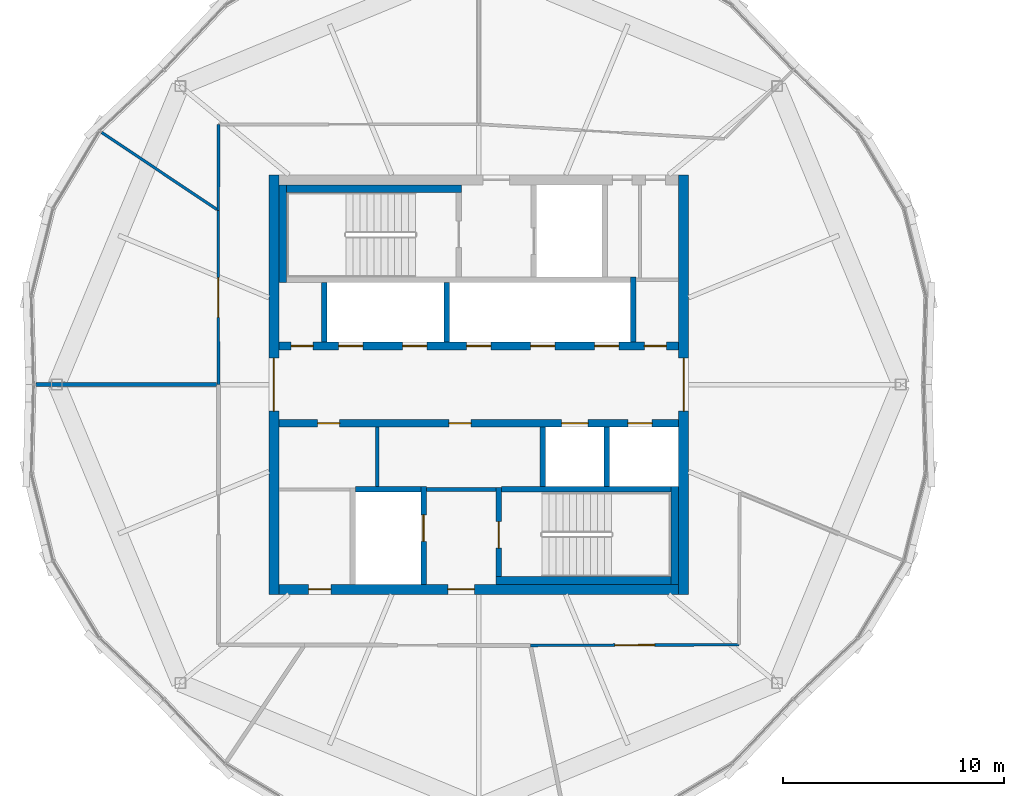
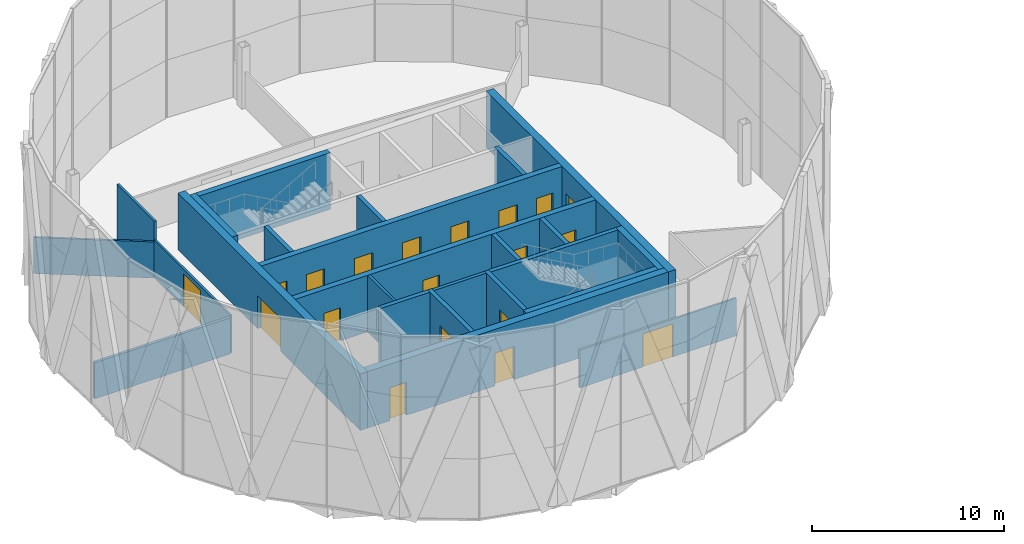
# One storey, part 16 of 22: 25 walls, 19 doors, 19 openings.
"""IFC4 building model written with IfcOpenShell, lengths in metres."""

from ifc_helpers import new_model, si_unit, direction, frame, frame_2d, origin, place, context, subcontext, project, spatial, rectangle, extrude, material, layer, layer_set, type_object, element, fill, save


model = new_model("IFC4")

# Units and contexts
model_context = context("Model", 3, precision=1e-05, world=origin(), true_north=direction((0.0, 1.0)))
body_context = subcontext(model_context, "Body", "Model", "MODEL_VIEW")
ifc_project = project(units=[si_unit("LENGTHUNIT", "METRE"), si_unit("AREAUNIT", "SQUARE_METRE"), si_unit("VOLUMEUNIT", "CUBIC_METRE"), si_unit("PLANEANGLEUNIT", "RADIAN"), si_unit("MASSUNIT", "GRAM", prefix="KILO")], contexts=[model_context])

# Site, building, storey
site_placement = place(None, origin())
site = spatial("IfcSite", under=ifc_project, at=site_placement, CompositionType="ELEMENT")
building_placement = place(site_placement, origin())
building = spatial("IfcBuilding", under=site, at=building_placement, Name="Ogive Gate Towers", CompositionType="ELEMENT")
storey_placement = place(building_placement, frame((0.0, 0.0, 228.89990234375)))
storey = spatial("IfcBuildingStorey", under=building, at=storey_placement, Name="L54", CompositionType="ELEMENT", Elevation=228.89990234375)

# Walls
ifc_material_1 = material(Name="Gypsum board acoustic partition")
ifc_layer_1 = layer(ifc_material_1, 0.175048828125)
ifc_layer_set_1 = layer_set([ifc_layer_1], Name="Acoustic partition 175")
wall_type_1 = type_object("IfcWallType", Name="Acoustic partition 175", PredefinedType="PARTITIONING", material=ifc_layer_set_1)
wall_1_placement = place(storey_placement, frame((-56.049072265625, 0.0, 0.0), z_axis=(0.0, 0.0, 1.0), x_axis=(1.0, 0.0, 0.0)))
element("IfcWall", 1, at=wall_1_placement, inside=storey, type_object=wall_type_1, Name="Partition T1-L54-004", PredefinedType="PARTITIONING", context=body_context, shape_type="SweptSolid", body=[
    extrude(rectangle(XDim=8.171630859375, YDim=0.175048828125, at=frame_2d((4.0859375, 0.0))), origin(), (0.0, 0.0, 1.0), 2.300048828125),
])
ifc_material_2 = material(Name="Masonry blockwork", Category="masonry")
ifc_layer_2 = layer(ifc_material_2, 0.199951171875)
ifc_layer_set_2 = layer_set([ifc_layer_2], Name="Blockwork wall 200 mm")
wall_type_2 = type_object("IfcWallType", Name="Blockwork wall 200 mm", PredefinedType="PARTITIONING", material=ifc_layer_set_2)
wall_2_placement = place(storey_placement, frame((-38.375, -4.75, 0.0), z_axis=(0.0, 0.0, 1.0), x_axis=(1.0, 0.0, 0.0)))
element("IfcWall", 2, at=wall_2_placement, inside=storey, type_object=wall_type_2, Name="T1 L54 Blockwork wall 200 mm", PredefinedType="PARTITIONING", context=body_context, shape_type="SweptSolid", body=[
    extrude(rectangle(XDim=3.14990234375, YDim=0.199951171875, at=frame_2d((1.574951171875, 0.0))), origin(), (0.0, 0.0, 1.0), 3.60009765625),
])

# Wall, openings, doors
ifc_material_3 = material(Name="Concrete C60/75", Category="concrete")
ifc_layer_3 = layer(ifc_material_3, 0.449951171875)
ifc_layer_set_3 = layer_set([ifc_layer_3], Name="Core wall 450 mm")
wall_type_3 = type_object("IfcWallType", Name="Core wall 450 mm", PredefinedType="SHEAR", material=ifc_layer_set_3)
wall_3_placement = place(storey_placement, frame((-45.050048828125, -9.27490234375, 0.0), z_axis=(0.0, 0.0, 1.0), x_axis=(1.0, 0.0, 0.0)))
wall_3 = element("IfcWall", 3, at=wall_3_placement, inside=storey, type_object=wall_type_3, Name="T1 L54 Core wall 450 mm", PredefinedType="SHEAR", context=body_context, shape_type="SweptSolid", body=[
    extrude(rectangle(XDim=18.10009765625, YDim=0.449951171875, at=frame_2d((9.050048828125, 0.0))), origin(), (0.0, 0.0, 1.0), 3.60009765625),
])
opening_1_placement = place(wall_3_placement, frame((7.64990234375, 0.0, 0.0)))
opening_1 = element("IfcOpeningElement", 4, at=opening_1_placement, cuts=wall_3, Name="Opening KD-T1-L54-19", PredefinedType="OPENING", context=body_context, shape_type="SweptSolid", body=[
    extrude(rectangle(XDim=1.199951171875, YDim=2.10009765625, at=frame_2d((0.60009765625, 1.050048828125))), frame((0.0, 0.23486328125, 0.0), z_axis=(0.0, -1.0, 0.0), x_axis=(1.0, 0.0, 0.0)), (0.0, 0.0, 1.0), 0.469970703125),
])
opening_2_placement = place(wall_3_placement, frame((1.35009765625, 0.0, 0.0)))
opening_2 = element("IfcOpeningElement", 5, at=opening_2_placement, cuts=wall_3, Name="Opening KD-T1-L54-22", PredefinedType="OPENING", context=body_context, shape_type="SweptSolid", body=[
    extrude(rectangle(XDim=1.0, YDim=2.10009765625, at=frame_2d((0.5, 1.050048828125))), frame((0.0, 0.23486328125, 0.0), z_axis=(0.0, -1.0, 0.0), x_axis=(1.0, 0.0, 0.0)), (0.0, 0.0, 1.0), 0.469970703125),
])
ifc_material_4 = material(Name="Timber door", Category="wood")
door_type_1 = type_object("IfcDoorType", Name="Accessible WC door 1000 x 2100", OperationType="NOTDEFINED", PredefinedType="DOOR", material=ifc_material_4)
door_1_placement = place(opening_2_placement, origin())
door_1 = element("IfcDoor", 6, at=door_1_placement, inside=storey, type_object=door_type_1, Name="T1 L54 Core door", OperationType="SINGLE_SWING_LEFT", OverallHeight=2.10009765625, OverallWidth=1.0, PredefinedType="DOOR", context=body_context, shape_type="SweptSolid", body=[
    extrude(rectangle(XDim=1.0, YDim=2.10009765625, at=frame_2d((0.5, 1.050048828125))), frame((0.0, 0.02490234375, 0.0), z_axis=(0.0, -1.0, 0.0), x_axis=(1.0, 0.0, 0.0)), (0.0, 0.0, 1.0), 0.050048828125),
])
fill(opening_2, door_1)
ifc_material_5 = material(Name="Steel fire door", Category="steel")
door_type_2 = type_object("IfcDoorType", Name="Core door FD60S 1200 x 2100", OperationType="NOTDEFINED", PredefinedType="DOOR", material=ifc_material_5)
door_2_placement = place(opening_1_placement, origin())
door_2 = element("IfcDoor", 7, at=door_2_placement, inside=storey, type_object=door_type_2, Name="T1 L54 Fire-fighting lobby door", OperationType="SINGLE_SWING_RIGHT", OverallHeight=2.10009765625, OverallWidth=1.199951171875, PredefinedType="DOOR", context=body_context, shape_type="SweptSolid", body=[
    extrude(rectangle(XDim=1.199951171875, YDim=2.10009765625, at=frame_2d((0.60009765625, 1.050048828125))), frame((0.0, 0.02490234375, 0.0), z_axis=(0.0, -1.0, 0.0), x_axis=(1.0, 0.0, 0.0)), (0.0, 0.0, 1.0), 0.050048828125),
])
fill(opening_1, door_2)

# Wall, opening, door
wall_4_placement = place(storey_placement, frame((-45.27490234375, -9.5, 0.0), z_axis=(0.0, 0.0, 1.0), x_axis=(0.0, 1.0, 0.0)))
wall_4 = element("IfcWall", 8, at=wall_4_placement, inside=storey, type_object=wall_type_3, Name="T1 L54 Core wall 450 mm", PredefinedType="SHEAR", context=body_context, shape_type="SweptSolid", body=[
    extrude(rectangle(XDim=19.0, YDim=0.449951171875, at=frame_2d((9.5, 0.0))), origin(), (0.0, 0.0, 1.0), 3.60009765625),
])
opening_3_placement = place(wall_4_placement, frame((8.300048828125, 0.0, 0.0)))
opening_3 = element("IfcOpeningElement", 9, at=opening_3_placement, cuts=wall_4, Name="Opening KD-T1-L54-01", PredefinedType="OPENING", context=body_context, shape_type="SweptSolid", body=[
    extrude(rectangle(XDim=2.39990234375, YDim=2.10009765625, at=frame_2d((1.199951171875, 1.050048828125))), frame((0.0, 0.23486328125, 0.0), z_axis=(0.0, -1.0, 0.0), x_axis=(1.0, 0.0, 0.0)), (0.0, 0.0, 1.0), 0.469970703125),
])
door_type_3 = type_object("IfcDoorType", Name="Core double door FD60S 2400 x 2100", OperationType="DOUBLE_DOOR_SINGLE_SWING", PredefinedType="DOOR", material=ifc_material_5)
door_3_placement = place(opening_3_placement, origin())
door_3 = element("IfcDoor", 10, at=door_3_placement, inside=storey, type_object=door_type_3, Name="T1 L54 Core door double", OperationType="DOUBLE_DOOR_SINGLE_SWING", OverallHeight=2.10009765625, OverallWidth=2.39990234375, PredefinedType="DOOR", context=body_context, shape_type="SweptSolid", body=[
    extrude(rectangle(XDim=2.39990234375, YDim=2.10009765625, at=frame_2d((1.199951171875, 1.050048828125))), frame((0.0, 0.02490234375, 0.0), z_axis=(0.0, -1.0, 0.0), x_axis=(1.0, 0.0, 0.0)), (0.0, 0.0, 1.0), 0.050048828125),
])
fill(opening_3, door_3)

wall_5_placement = place(storey_placement, frame((-26.72509765625, -9.5, 0.0), z_axis=(0.0, 0.0, 1.0), x_axis=(0.0, 1.0, 0.0)))
wall_5 = element("IfcWall", 11, at=wall_5_placement, inside=storey, type_object=wall_type_3, Name="T1 L54 Core wall 450 mm", PredefinedType="SHEAR", context=body_context, shape_type="SweptSolid", body=[
    extrude(rectangle(XDim=19.0, YDim=0.449951171875, at=frame_2d((9.5, 0.0))), origin(), (0.0, 0.0, 1.0), 3.60009765625),
])
opening_4_placement = place(wall_5_placement, frame((8.300048828125, 0.0, 0.0)))
opening_4 = element("IfcOpeningElement", 12, at=opening_4_placement, cuts=wall_5, Name="Opening KD-T1-L54-02", PredefinedType="OPENING", context=body_context, shape_type="SweptSolid", body=[
    extrude(rectangle(XDim=2.39990234375, YDim=2.10009765625, at=frame_2d((1.199951171875, 1.050048828125))), frame((0.0, 0.23486328125, 0.0), z_axis=(0.0, -1.0, 0.0), x_axis=(1.0, 0.0, 0.0)), (0.0, 0.0, 1.0), 0.469970703125),
])
door_4_placement = place(opening_4_placement, origin())
door_4 = element("IfcDoor", 13, at=door_4_placement, inside=storey, type_object=door_type_3, Name="T1 L54 Core door double", OperationType="DOUBLE_DOOR_SINGLE_SWING", OverallHeight=2.10009765625, OverallWidth=2.39990234375, PredefinedType="DOOR", context=body_context, shape_type="SweptSolid", body=[
    extrude(rectangle(XDim=2.39990234375, YDim=2.10009765625, at=frame_2d((1.199951171875, 1.050048828125))), frame((0.0, 0.02490234375, 0.0), z_axis=(0.0, -1.0, 0.0), x_axis=(1.0, 0.0, 0.0)), (0.0, 0.0, 1.0), 0.050048828125),
])
fill(opening_4, door_4)

# Wall
ifc_material_6 = material(Name="Gypsum board partition")
ifc_layer_4 = layer(ifc_material_6, 0.125)
ifc_layer_set_4 = layer_set([ifc_layer_4], Name="Partition 125")
wall_type_4 = type_object("IfcWallType", Name="Partition 125", PredefinedType="PARTITIONING", material=ifc_layer_set_4)
wall_6_placement = place(storey_placement, frame((-53.081298828125, 11.424072265625, 0.0), z_axis=(0.0, 0.0, 1.0), x_axis=(0.831214202949, -0.555952290054, 0.0)))
element("IfcWall", 14, at=wall_6_placement, inside=storey, type_object=wall_type_4, Name="Partition T1-L54-003", PredefinedType="PARTITIONING", context=body_context, shape_type="SweptSolid", body=[
    extrude(rectangle(XDim=6.29638671875, YDim=0.125, at=frame_2d((3.148193359375, 0.0))), origin(), (0.0, 0.0, 1.0), 2.300048828125),
])

# Wall, opening, door
wall_7_placement = place(storey_placement, frame((-33.656005859375, -11.810302734375, 0.0), z_axis=(0.0, 0.0, 1.0), x_axis=(0.999994853511, 0.003208262919, 0.0)))
wall_7 = element("IfcWall", 15, at=wall_7_placement, inside=storey, type_object=wall_type_4, Name="Partition T1-L54-009", PredefinedType="PARTITIONING", context=body_context, shape_type="SweptSolid", body=[
    extrude(rectangle(XDim=9.43603515625, YDim=0.125, at=frame_2d((4.718017578125, 0.0))), origin(), (0.0, 0.0, 1.0), 2.400146484375),
])
opening_5_placement = place(wall_7_placement, frame((3.818115234375, 0.0, 0.0)))
opening_5 = element("IfcOpeningElement", 16, at=opening_5_placement, cuts=wall_7, Name="Opening T1-L54-D02", PredefinedType="OPENING", context=body_context, shape_type="SweptSolid", body=[
    extrude(rectangle(XDim=1.800048828125, YDim=2.10009765625, at=frame_2d((0.89990234375, 1.050048828125))), frame((0.0, 0.072509765625, 0.0), z_axis=(0.0, -1.0, 0.0), x_axis=(1.0, 0.0, 0.0)), (0.0, 0.0, 1.0), 0.14501953125),
])
door_type_4 = type_object("IfcDoorType", Name="Door pair 1800", OperationType="NOTDEFINED", PredefinedType="DOOR", material=ifc_material_4)
door_5_placement = place(opening_5_placement, origin())
door_5 = element("IfcDoor", 17, at=door_5_placement, inside=storey, type_object=door_type_4, Name="Door T1-L54-D02", OperationType="DOUBLE_DOOR_DOUBLE_SWING", OverallHeight=2.10009765625, OverallWidth=1.800048828125, PredefinedType="DOOR", context=body_context, shape_type="SweptSolid", body=[
    extrude(rectangle(XDim=1.800048828125, YDim=2.10009765625, at=frame_2d((0.89990234375, 1.050048828125))), frame((0.0, 0.02490234375, 0.0), z_axis=(0.0, -1.0, 0.0), x_axis=(1.0, 0.0, 0.0)), (0.0, 0.0, 1.0), 0.050048828125),
])
fill(opening_5, door_5)

# Wall
wall_8_placement = place(storey_placement, frame((-47.780029296875, 11.780029296875, 0.0), z_axis=(0.0, 0.0, 1.0), x_axis=(-0.004015527922, -0.999991937735, 0.0)))
element("IfcWall", 18, at=wall_8_placement, inside=storey, type_object=wall_type_4, Name="Partition T1-L54-013", PredefinedType="PARTITIONING", context=body_context, shape_type="SweptSolid", body=[
    extrude(rectangle(XDim=3.89111328125, YDim=0.125, at=frame_2d((1.945556640625, 0.0))), origin(), (0.0, 0.0, 1.0), 3.60009765625),
])

# Wall, opening, door
wall_9_placement = place(storey_placement, frame((-47.795654296875, 7.888916015625, 0.0), z_axis=(0.0, 0.0, 1.0), x_axis=(0.000711787645, -0.999999746679, 0.0)))
wall_9 = element("IfcWall", 19, at=wall_9_placement, inside=storey, type_object=wall_type_4, Name="Partition T1-L54-014", PredefinedType="PARTITIONING", context=body_context, shape_type="SweptSolid", body=[
    extrude(rectangle(XDim=7.888916015625, YDim=0.125, at=frame_2d((3.9443359375, 0.0))), origin(), (0.0, 0.0, 1.0), 2.400146484375),
])
opening_6_placement = place(wall_9_placement, frame((3.0439453125, 0.0, 0.0)))
opening_6 = element("IfcOpeningElement", 20, at=opening_6_placement, cuts=wall_9, Name="Opening T1-L54-D05", PredefinedType="OPENING", context=body_context, shape_type="SweptSolid", body=[
    extrude(rectangle(XDim=1.800048828125, YDim=2.10009765625, at=frame_2d((0.89990234375, 1.050048828125))), frame((0.0, 0.072509765625, 0.0), z_axis=(0.0, -1.0, 0.0), x_axis=(1.0, 0.0, 0.0)), (0.0, 0.0, 1.0), 0.14501953125),
])
door_6_placement = place(opening_6_placement, origin())
door_6 = element("IfcDoor", 21, at=door_6_placement, inside=storey, type_object=door_type_4, Name="Door T1-L54-D05", OperationType="DOUBLE_DOOR_DOUBLE_SWING", OverallHeight=2.10009765625, OverallWidth=1.800048828125, PredefinedType="DOOR", context=body_context, shape_type="SweptSolid", body=[
    extrude(rectangle(XDim=1.800048828125, YDim=2.10009765625, at=frame_2d((0.89990234375, 1.050048828125))), frame((0.0, 0.02490234375, 0.0), z_axis=(0.0, -1.0, 0.0), x_axis=(1.0, 0.0, 0.0)), (0.0, 0.0, 1.0), 0.050048828125),
])
fill(opening_6, door_6)

# Walls
ifc_layer_5 = layer(ifc_material_6, 0.14990234375)
ifc_layer_set_5 = layer_set([ifc_layer_5], Name="Room partition 150 mm")
wall_type_5 = type_object("IfcWallType", Name="Room partition 150 mm", PredefinedType="PARTITIONING", material=ifc_layer_set_5)
wall_10_placement = place(storey_placement, frame((-40.60009765625, -4.625, 0.0), z_axis=(0.0, 0.0, 1.0), x_axis=(0.0, 1.0, 0.0)))
element("IfcWall", 22, at=wall_10_placement, inside=storey, type_object=wall_type_5, Name="T1 L54 Room partition 150 mm", PredefinedType="PARTITIONING", context=body_context, shape_type="SweptSolid", body=[
    extrude(rectangle(XDim=2.699951171875, YDim=0.14990234375, at=frame_2d((1.35009765625, 0.0))), origin(), (0.0, 0.0, 1.0), 3.60009765625),
])
ifc_layer_6 = layer(ifc_material_3, 0.25)
ifc_layer_set_6 = layer_set([ifc_layer_6], Name="Shaft wall 250 mm")
wall_type_6 = type_object("IfcWallType", Name="Shaft wall 250 mm", PredefinedType="SHEAR", material=ifc_layer_set_6)
wall_11_placement = place(storey_placement, frame((-41.574951171875, -4.75, 0.0), z_axis=(0.0, 0.0, 1.0), x_axis=(1.0, 0.0, 0.0)))
element("IfcWall", 23, at=wall_11_placement, inside=storey, type_object=wall_type_6, Name="T1 L54 Shaft wall 250 mm", PredefinedType="SHEAR", context=body_context, shape_type="SweptSolid", body=[
    extrude(rectangle(XDim=2.949951171875, YDim=0.25, at=frame_2d((1.47509765625, 0.0))), origin(), (0.0, 0.0, 1.0), 3.60009765625),
])
wall_12_placement = place(storey_placement, frame((-34.97509765625, -4.75, 0.0), z_axis=(0.0, 0.0, 1.0), x_axis=(1.0, 0.0, 0.0)))
element("IfcWall", 24, at=wall_12_placement, inside=storey, type_object=wall_type_6, Name="T1 L54 Shaft wall 250 mm", PredefinedType="SHEAR", context=body_context, shape_type="SweptSolid", body=[
    extrude(rectangle(XDim=7.675048828125, YDim=0.25, at=frame_2d((3.83740234375, 0.0))), origin(), (0.0, 0.0, 1.0), 3.60009765625),
])
wall_13_placement = place(storey_placement, frame((-43.0, 1.925048828125, 0.0), z_axis=(0.0, 0.0, 1.0), x_axis=(0.0, 1.0, 0.0)))
element("IfcWall", 25, at=wall_13_placement, inside=storey, type_object=wall_type_6, Name="T1 L54 Shaft wall 250 mm", PredefinedType="SHEAR", context=body_context, shape_type="SweptSolid", body=[
    extrude(rectangle(XDim=2.699951171875, YDim=0.25, at=frame_2d((1.35009765625, 0.0))), origin(), (0.0, 0.0, 1.0), 3.60009765625),
])

# Wall, opening, door
wall_14_placement = place(storey_placement, frame((-38.5, -9.050048828125, 0.0), z_axis=(0.0, 0.0, 1.0), x_axis=(0.0, 1.0, 0.0)))
wall_14 = element("IfcWall", 26, at=wall_14_placement, inside=storey, type_object=wall_type_6, Name="T1 L54 Shaft wall 250 mm", PredefinedType="SHEAR", context=body_context, shape_type="SweptSolid", body=[
    extrude(rectangle(XDim=4.425048828125, YDim=0.25, at=frame_2d((2.21240234375, 0.0))), origin(), (0.0, 0.0, 1.0), 3.60009765625),
])
opening_7_placement = place(wall_14_placement, frame((1.949951171875, 0.0, 0.0)))
opening_7 = element("IfcOpeningElement", 27, at=opening_7_placement, cuts=wall_14, Name="Opening LD-T1-L54-13", PredefinedType="OPENING", context=body_context, shape_type="SweptSolid", body=[
    extrude(rectangle(XDim=1.199951171875, YDim=2.10009765625, at=frame_2d((0.60009765625, 1.050048828125))), frame((0.0, 0.135009765625, 0.0), z_axis=(0.0, -1.0, 0.0), x_axis=(1.0, 0.0, 0.0)), (0.0, 0.0, 1.0), 0.27001953125),
])
ifc_material_7 = material(Name="Stainless steel landing door", Category="steel")
door_type_5 = type_object("IfcDoorType", Name="Landing door 1200 x 2100", OperationType="SLIDING_TO_LEFT", PredefinedType="DOOR", material=ifc_material_7)
door_7_placement = place(opening_7_placement, origin())
door_7 = element("IfcDoor", 28, at=door_7_placement, inside=storey, type_object=door_type_5, Name="T1 L54 Lift landing door FF2", OperationType="SLIDING_TO_LEFT", OverallHeight=2.10009765625, OverallWidth=1.199951171875, PredefinedType="DOOR", context=body_context, shape_type="SweptSolid", body=[
    extrude(rectangle(XDim=1.199951171875, YDim=2.10009765625, at=frame_2d((0.60009765625, 1.050048828125))), frame((0.0, 0.02490234375, 0.0), z_axis=(0.0, -1.0, 0.0), x_axis=(1.0, 0.0, 0.0)), (0.0, 0.0, 1.0), 0.050048828125),
])
fill(opening_7, door_7)

# Wall
wall_15_placement = place(storey_placement, frame((-37.449951171875, 1.925048828125, 0.0), z_axis=(0.0, 0.0, 1.0), x_axis=(0.0, 1.0, 0.0)))
element("IfcWall", 29, at=wall_15_placement, inside=storey, type_object=wall_type_6, Name="T1 L54 Shaft wall 250 mm", PredefinedType="SHEAR", context=body_context, shape_type="SweptSolid", body=[
    extrude(rectangle(XDim=2.699951171875, YDim=0.25, at=frame_2d((1.35009765625, 0.0))), origin(), (0.0, 0.0, 1.0), 3.60009765625),
])

# Wall, opening, door
wall_16_placement = place(storey_placement, frame((-35.10009765625, -8.699951171875, 0.0), z_axis=(0.0, 0.0, 1.0), x_axis=(0.0, 1.0, 0.0)))
wall_16 = element("IfcWall", 30, at=wall_16_placement, inside=storey, type_object=wall_type_6, Name="T1 L54 Shaft wall 250 mm", PredefinedType="SHEAR", context=body_context, shape_type="SweptSolid", body=[
    extrude(rectangle(XDim=4.050048828125, YDim=0.25, at=frame_2d((2.02490234375, 0.0))), origin(), (0.0, 0.0, 1.0), 3.60009765625),
])
opening_8_placement = place(wall_16_placement, frame((1.300048828125, 0.0, 0.0)))
opening_8 = element("IfcOpeningElement", 31, at=opening_8_placement, cuts=wall_16, Name="Opening KD-T1-L54-17", PredefinedType="OPENING", context=body_context, shape_type="SweptSolid", body=[
    extrude(rectangle(XDim=1.199951171875, YDim=2.10009765625, at=frame_2d((0.60009765625, 1.050048828125))), frame((0.0, 0.135009765625, 0.0), z_axis=(0.0, -1.0, 0.0), x_axis=(1.0, 0.0, 0.0)), (0.0, 0.0, 1.0), 0.27001953125),
])
door_8_placement = place(opening_8_placement, origin())
door_8 = element("IfcDoor", 32, at=door_8_placement, inside=storey, type_object=door_type_2, Name="T1 L54 Stair door", OperationType="SINGLE_SWING_RIGHT", OverallHeight=2.10009765625, OverallWidth=1.199951171875, PredefinedType="DOOR", context=body_context, shape_type="SweptSolid", body=[
    extrude(rectangle(XDim=1.199951171875, YDim=2.10009765625, at=frame_2d((0.60009765625, 1.050048828125))), frame((0.0, 0.02490234375, 0.0), z_axis=(0.0, -1.0, 0.0), x_axis=(1.0, 0.0, 0.0)), (0.0, 0.0, 1.0), 0.050048828125),
])
fill(opening_8, door_8)

# Walls
for number, where, z_axis, x_axis, name in (
    (33, (-33.10009765625, -4.625, 0.0), (0.0, 0.0, 1.0), (0.0, 1.0, 0.0), "T1 L54 Shaft wall 250 mm"),
    (34, (-30.199951171875, -4.625, 0.0), (0.0, 0.0, 1.0), (0.0, 1.0, 0.0), "T1 L54 Shaft wall 250 mm"),
):
    element("IfcWall", number, at=place(storey_placement, frame(where, z_axis=z_axis, x_axis=x_axis)), inside=storey, type_object=wall_type_6, Name=name, PredefinedType="SHEAR", context=body_context, shape_type="SweptSolid", body=[
        extrude(rectangle(XDim=2.699951171875, YDim=0.25, at=frame_2d((1.35009765625, 0.0))), origin(), (0.0, 0.0, 1.0), 3.60009765625),
    ])
wall_17_placement = place(storey_placement, frame((-29.0, 1.925048828125, 0.0), z_axis=(0.0, 0.0, 1.0), x_axis=(0.0, 1.0, 0.0)))
element("IfcWall", 35, at=wall_17_placement, inside=storey, type_object=wall_type_6, Name="T1 L54 Shaft wall 250 mm", PredefinedType="SHEAR", context=body_context, shape_type="SweptSolid", body=[
    extrude(rectangle(XDim=2.949951171875, YDim=0.25, at=frame_2d((1.47509765625, 0.0))), origin(), (0.0, 0.0, 1.0), 3.60009765625),
])

# Wall, openings, doors
ifc_layer_7 = layer(ifc_material_3, 0.35009765625)
ifc_layer_set_7 = layer_set([ifc_layer_7], Name="Spine wall 350 mm")
wall_type_7 = type_object("IfcWallType", Name="Spine wall 350 mm", PredefinedType="SHEAR", material=ifc_layer_set_7)
wall_18_placement = place(storey_placement, frame((-45.050048828125, -1.75, 0.0), z_axis=(0.0, 0.0, 1.0), x_axis=(1.0, 0.0, 0.0)))
wall_18 = element("IfcWall", 36, at=wall_18_placement, inside=storey, type_object=wall_type_7, Name="T1 L54 Spine wall 350 mm", PredefinedType="SHEAR", context=body_context, shape_type="SweptSolid", body=[
    extrude(rectangle(XDim=18.10009765625, YDim=0.35009765625, at=frame_2d((9.050048828125, 0.0))), origin(), (0.0, 0.0, 1.0), 3.60009765625),
])
opening_9_placement = place(wall_18_placement, frame((12.800048828125, 0.0, 0.0)))
opening_9 = element("IfcOpeningElement", 37, at=opening_9_placement, cuts=wall_18, Name="Opening LD-T1-L54-10", PredefinedType="OPENING", context=body_context, shape_type="SweptSolid", body=[
    extrude(rectangle(XDim=1.199951171875, YDim=2.10009765625, at=frame_2d((0.60009765625, 1.050048828125))), frame((0.0, 0.18505859375, 0.0), z_axis=(0.0, -1.0, 0.0), x_axis=(1.0, 0.0, 0.0)), (0.0, 0.0, 1.0), 0.3701171875),
])
opening_10_placement = place(wall_18_placement, frame((15.800048828125, 0.0, 0.0)))
opening_10 = element("IfcOpeningElement", 38, at=opening_10_placement, cuts=wall_18, Name="Opening LD-T1-L54-11", PredefinedType="OPENING", context=body_context, shape_type="SweptSolid", body=[
    extrude(rectangle(XDim=1.10009765625, YDim=2.10009765625, at=frame_2d((0.550048828125, 1.050048828125))), frame((0.0, 0.18505859375, 0.0), z_axis=(0.0, -1.0, 0.0), x_axis=(1.0, 0.0, 0.0)), (0.0, 0.0, 1.0), 0.3701171875),
])
opening_11_placement = place(wall_18_placement, frame((1.75, 0.0, 0.0)))
opening_11 = element("IfcOpeningElement", 39, at=opening_11_placement, cuts=wall_18, Name="Opening KD-T1-L54-14", PredefinedType="OPENING", context=body_context, shape_type="SweptSolid", body=[
    extrude(rectangle(XDim=1.0, YDim=2.10009765625, at=frame_2d((0.5, 1.050048828125))), frame((0.0, 0.18505859375, 0.0), z_axis=(0.0, -1.0, 0.0), x_axis=(1.0, 0.0, 0.0)), (0.0, 0.0, 1.0), 0.3701171875),
])
opening_12_placement = place(wall_18_placement, frame((7.699951171875, 0.0, 0.0)))
opening_12 = element("IfcOpeningElement", 40, at=opening_12_placement, cuts=wall_18, Name="Opening KD-T1-L54-15", PredefinedType="OPENING", context=body_context, shape_type="SweptSolid", body=[
    extrude(rectangle(XDim=1.0, YDim=2.10009765625, at=frame_2d((0.5, 1.050048828125))), frame((0.0, 0.18505859375, 0.0), z_axis=(0.0, -1.0, 0.0), x_axis=(1.0, 0.0, 0.0)), (0.0, 0.0, 1.0), 0.3701171875),
])
door_type_6 = type_object("IfcDoorType", Name="Core door FD60S 1000 x 2100", OperationType="NOTDEFINED", PredefinedType="DOOR", material=ifc_material_5)
door_9_placement = place(opening_11_placement, origin())
door_9 = element("IfcDoor", 41, at=door_9_placement, inside=storey, type_object=door_type_6, Name="T1 L54 Core door", OperationType="SINGLE_SWING_LEFT", OverallHeight=2.10009765625, OverallWidth=1.0, PredefinedType="DOOR", context=body_context, shape_type="SweptSolid", body=[
    extrude(rectangle(XDim=1.0, YDim=2.10009765625, at=frame_2d((0.5, 1.050048828125))), frame((0.0, 0.02490234375, 0.0), z_axis=(0.0, -1.0, 0.0), x_axis=(1.0, 0.0, 0.0)), (0.0, 0.0, 1.0), 0.050048828125),
])
fill(opening_11, door_9)
door_10_placement = place(opening_12_placement, origin())
door_10 = element("IfcDoor", 42, at=door_10_placement, inside=storey, type_object=door_type_6, Name="T1 L54 Core door", OperationType="SINGLE_SWING_RIGHT", OverallHeight=2.10009765625, OverallWidth=1.0, PredefinedType="DOOR", context=body_context, shape_type="SweptSolid", body=[
    extrude(rectangle(XDim=1.0, YDim=2.10009765625, at=frame_2d((0.5, 1.050048828125))), frame((0.0, 0.02490234375, 0.0), z_axis=(0.0, -1.0, 0.0), x_axis=(1.0, 0.0, 0.0)), (0.0, 0.0, 1.0), 0.050048828125),
])
fill(opening_12, door_10)
door_type_7 = type_object("IfcDoorType", Name="Landing door 1100 x 2100", OperationType="SLIDING_TO_LEFT", PredefinedType="DOOR", material=ifc_material_7)
door_11_placement = place(opening_10_placement, origin())
door_11 = element("IfcDoor", 43, at=door_11_placement, inside=storey, type_object=door_type_7, Name="T1 L54 Lift landing door B6", OperationType="SLIDING_TO_LEFT", OverallHeight=2.10009765625, OverallWidth=1.10009765625, PredefinedType="DOOR", context=body_context, shape_type="SweptSolid", body=[
    extrude(rectangle(XDim=1.10009765625, YDim=2.10009765625, at=frame_2d((0.550048828125, 1.050048828125))), frame((0.0, 0.02490234375, 0.0), z_axis=(0.0, -1.0, 0.0), x_axis=(1.0, 0.0, 0.0)), (0.0, 0.0, 1.0), 0.050048828125),
])
fill(opening_10, door_11)
door_12_placement = place(opening_9_placement, origin())
door_12 = element("IfcDoor", 44, at=door_12_placement, inside=storey, type_object=door_type_5, Name="T1 L54 Lift landing door SVC", OperationType="SLIDING_TO_LEFT", OverallHeight=2.10009765625, OverallWidth=1.199951171875, PredefinedType="DOOR", context=body_context, shape_type="SweptSolid", body=[
    extrude(rectangle(XDim=1.199951171875, YDim=2.10009765625, at=frame_2d((0.60009765625, 1.050048828125))), frame((0.0, 0.02490234375, 0.0), z_axis=(0.0, -1.0, 0.0), x_axis=(1.0, 0.0, 0.0)), (0.0, 0.0, 1.0), 0.050048828125),
])
fill(opening_9, door_12)

wall_19_placement = place(storey_placement, frame((-45.050048828125, 1.75, 0.0), z_axis=(0.0, 0.0, 1.0), x_axis=(1.0, 0.0, 0.0)))
wall_19 = element("IfcWall", 45, at=wall_19_placement, inside=storey, type_object=wall_type_7, Name="T1 L54 Spine wall 350 mm", PredefinedType="SHEAR", context=body_context, shape_type="SweptSolid", body=[
    extrude(rectangle(XDim=18.10009765625, YDim=0.35009765625, at=frame_2d((9.050048828125, 0.0))), origin(), (0.0, 0.0, 1.0), 3.60009765625),
])
opening_13_placement = place(wall_19_placement, frame((0.550048828125, 0.0, 0.0)))
opening_13 = element("IfcOpeningElement", 46, at=opening_13_placement, cuts=wall_19, Name="Opening KD-T1-L54-03", PredefinedType="OPENING", context=body_context, shape_type="SweptSolid", body=[
    extrude(rectangle(XDim=1.0, YDim=2.10009765625, at=frame_2d((0.5, 1.050048828125))), frame((0.0, 0.18505859375, 0.0), z_axis=(0.0, -1.0, 0.0), x_axis=(1.0, 0.0, 0.0)), (0.0, 0.0, 1.0), 0.3701171875),
])
opening_14_placement = place(wall_19_placement, frame((2.699951171875, 0.0, 0.0)))
opening_14 = element("IfcOpeningElement", 47, at=opening_14_placement, cuts=wall_19, Name="Opening LD-T1-L54-04", PredefinedType="OPENING", context=body_context, shape_type="SweptSolid", body=[
    extrude(rectangle(XDim=1.10009765625, YDim=2.10009765625, at=frame_2d((0.550048828125, 1.050048828125))), frame((0.0, 0.18505859375, 0.0), z_axis=(0.0, -1.0, 0.0), x_axis=(1.0, 0.0, 0.0)), (0.0, 0.0, 1.0), 0.3701171875),
])
opening_15_placement = place(wall_19_placement, frame((5.60009765625, 0.0, 0.0)))
opening_15 = element("IfcOpeningElement", 48, at=opening_15_placement, cuts=wall_19, Name="Opening LD-T1-L54-05", PredefinedType="OPENING", context=body_context, shape_type="SweptSolid", body=[
    extrude(rectangle(XDim=1.10009765625, YDim=2.10009765625, at=frame_2d((0.550048828125, 1.050048828125))), frame((0.0, 0.18505859375, 0.0), z_axis=(0.0, -1.0, 0.0), x_axis=(1.0, 0.0, 0.0)), (0.0, 0.0, 1.0), 0.3701171875),
])
opening_16_placement = place(wall_19_placement, frame((8.5, 0.0, 0.0)))
opening_16 = element("IfcOpeningElement", 49, at=opening_16_placement, cuts=wall_19, Name="Opening LD-T1-L54-06", PredefinedType="OPENING", context=body_context, shape_type="SweptSolid", body=[
    extrude(rectangle(XDim=1.10009765625, YDim=2.10009765625, at=frame_2d((0.550048828125, 1.050048828125))), frame((0.0, 0.18505859375, 0.0), z_axis=(0.0, -1.0, 0.0), x_axis=(1.0, 0.0, 0.0)), (0.0, 0.0, 1.0), 0.3701171875),
])
opening_17_placement = place(wall_19_placement, frame((11.39990234375, 0.0, 0.0)))
opening_17 = element("IfcOpeningElement", 50, at=opening_17_placement, cuts=wall_19, Name="Opening LD-T1-L54-07", PredefinedType="OPENING", context=body_context, shape_type="SweptSolid", body=[
    extrude(rectangle(XDim=1.10009765625, YDim=2.10009765625, at=frame_2d((0.550048828125, 1.050048828125))), frame((0.0, 0.18505859375, 0.0), z_axis=(0.0, -1.0, 0.0), x_axis=(1.0, 0.0, 0.0)), (0.0, 0.0, 1.0), 0.3701171875),
])
opening_18_placement = place(wall_19_placement, frame((14.300048828125, 0.0, 0.0)))
opening_18 = element("IfcOpeningElement", 51, at=opening_18_placement, cuts=wall_19, Name="Opening LD-T1-L54-08", PredefinedType="OPENING", context=body_context, shape_type="SweptSolid", body=[
    extrude(rectangle(XDim=1.10009765625, YDim=2.10009765625, at=frame_2d((0.550048828125, 1.050048828125))), frame((0.0, 0.18505859375, 0.0), z_axis=(0.0, -1.0, 0.0), x_axis=(1.0, 0.0, 0.0)), (0.0, 0.0, 1.0), 0.3701171875),
])
opening_19_placement = place(wall_19_placement, frame((16.550048828125, 0.0, 0.0)))
opening_19 = element("IfcOpeningElement", 52, at=opening_19_placement, cuts=wall_19, Name="Opening KD-T1-L54-09", PredefinedType="OPENING", context=body_context, shape_type="SweptSolid", body=[
    extrude(rectangle(XDim=1.0, YDim=2.10009765625, at=frame_2d((0.5, 1.050048828125))), frame((0.0, 0.18505859375, 0.0), z_axis=(0.0, -1.0, 0.0), x_axis=(1.0, 0.0, 0.0)), (0.0, 0.0, 1.0), 0.3701171875),
])
door_13_placement = place(opening_13_placement, origin())
door_13 = element("IfcDoor", 53, at=door_13_placement, inside=storey, type_object=door_type_6, Name="T1 L54 Core door", OperationType="SINGLE_SWING_RIGHT", OverallHeight=2.10009765625, OverallWidth=1.0, PredefinedType="DOOR", context=body_context, shape_type="SweptSolid", body=[
    extrude(rectangle(XDim=1.0, YDim=2.10009765625, at=frame_2d((0.5, 1.050048828125))), frame((0.0, 0.02490234375, 0.0), z_axis=(0.0, -1.0, 0.0), x_axis=(1.0, 0.0, 0.0)), (0.0, 0.0, 1.0), 0.050048828125),
])
fill(opening_13, door_13)
door_14_placement = place(opening_19_placement, origin())
door_14 = element("IfcDoor", 54, at=door_14_placement, inside=storey, type_object=door_type_6, Name="T1 L54 Core door", OperationType="SINGLE_SWING_RIGHT", OverallHeight=2.10009765625, OverallWidth=1.0, PredefinedType="DOOR", context=body_context, shape_type="SweptSolid", body=[
    extrude(rectangle(XDim=1.0, YDim=2.10009765625, at=frame_2d((0.5, 1.050048828125))), frame((0.0, 0.02490234375, 0.0), z_axis=(0.0, -1.0, 0.0), x_axis=(1.0, 0.0, 0.0)), (0.0, 0.0, 1.0), 0.050048828125),
])
fill(opening_19, door_14)
door_15_placement = place(opening_14_placement, origin())
door_15 = element("IfcDoor", 55, at=door_15_placement, inside=storey, type_object=door_type_7, Name="T1 L54 Lift landing door B1", OperationType="SLIDING_TO_LEFT", OverallHeight=2.10009765625, OverallWidth=1.10009765625, PredefinedType="DOOR", context=body_context, shape_type="SweptSolid", body=[
    extrude(rectangle(XDim=1.10009765625, YDim=2.10009765625, at=frame_2d((0.550048828125, 1.050048828125))), frame((0.0, 0.02490234375, 0.0), z_axis=(0.0, -1.0, 0.0), x_axis=(1.0, 0.0, 0.0)), (0.0, 0.0, 1.0), 0.050048828125),
])
fill(opening_14, door_15)
door_16_placement = place(opening_15_placement, origin())
door_16 = element("IfcDoor", 56, at=door_16_placement, inside=storey, type_object=door_type_7, Name="T1 L54 Lift landing door B2", OperationType="SLIDING_TO_LEFT", OverallHeight=2.10009765625, OverallWidth=1.10009765625, PredefinedType="DOOR", context=body_context, shape_type="SweptSolid", body=[
    extrude(rectangle(XDim=1.10009765625, YDim=2.10009765625, at=frame_2d((0.550048828125, 1.050048828125))), frame((0.0, 0.02490234375, 0.0), z_axis=(0.0, -1.0, 0.0), x_axis=(1.0, 0.0, 0.0)), (0.0, 0.0, 1.0), 0.050048828125),
])
fill(opening_15, door_16)
door_17_placement = place(opening_16_placement, origin())
door_17 = element("IfcDoor", 57, at=door_17_placement, inside=storey, type_object=door_type_7, Name="T1 L54 Lift landing door B3", OperationType="SLIDING_TO_LEFT", OverallHeight=2.10009765625, OverallWidth=1.10009765625, PredefinedType="DOOR", context=body_context, shape_type="SweptSolid", body=[
    extrude(rectangle(XDim=1.10009765625, YDim=2.10009765625, at=frame_2d((0.550048828125, 1.050048828125))), frame((0.0, 0.02490234375, 0.0), z_axis=(0.0, -1.0, 0.0), x_axis=(1.0, 0.0, 0.0)), (0.0, 0.0, 1.0), 0.050048828125),
])
fill(opening_16, door_17)
door_18_placement = place(opening_17_placement, origin())
door_18 = element("IfcDoor", 58, at=door_18_placement, inside=storey, type_object=door_type_7, Name="T1 L54 Lift landing door B4", OperationType="SLIDING_TO_LEFT", OverallHeight=2.10009765625, OverallWidth=1.10009765625, PredefinedType="DOOR", context=body_context, shape_type="SweptSolid", body=[
    extrude(rectangle(XDim=1.10009765625, YDim=2.10009765625, at=frame_2d((0.550048828125, 1.050048828125))), frame((0.0, 0.02490234375, 0.0), z_axis=(0.0, -1.0, 0.0), x_axis=(1.0, 0.0, 0.0)), (0.0, 0.0, 1.0), 0.050048828125),
])
fill(opening_17, door_18)
door_19_placement = place(opening_18_placement, origin())
door_19 = element("IfcDoor", 59, at=door_19_placement, inside=storey, type_object=door_type_7, Name="T1 L54 Lift landing door B5", OperationType="SLIDING_TO_LEFT", OverallHeight=2.10009765625, OverallWidth=1.10009765625, PredefinedType="DOOR", context=body_context, shape_type="SweptSolid", body=[
    extrude(rectangle(XDim=1.10009765625, YDim=2.10009765625, at=frame_2d((0.550048828125, 1.050048828125))), frame((0.0, 0.02490234375, 0.0), z_axis=(0.0, -1.0, 0.0), x_axis=(1.0, 0.0, 0.0)), (0.0, 0.0, 1.0), 0.050048828125),
])
fill(opening_18, door_19)

# Walls
ifc_layer_8 = layer(ifc_material_3, 0.35009765625)
ifc_layer_set_8 = layer_set([ifc_layer_8], Name="Stair wall 350 mm")
wall_type_8 = type_object("IfcWallType", Name="Stair wall 350 mm", PredefinedType="SHEAR", material=ifc_layer_set_8)
for number, where, z_axis, x_axis, name in (
    (60, (-35.22509765625, -8.875, 0.0), (0.0, 0.0, 1.0), (1.0, 0.0, 0.0), "T1 L54 Stair wall 350 mm"),
    (61, (-44.699951171875, 8.875, 0.0), (0.0, 0.0, 1.0), (1.0, 0.0, 0.0), "T1 L54 Stair wall 350 mm"),
):
    element("IfcWall", number, at=place(storey_placement, frame(where, z_axis=z_axis, x_axis=x_axis)), inside=storey, type_object=wall_type_8, Name=name, PredefinedType="SHEAR", context=body_context, shape_type="SweptSolid", body=[
        extrude(rectangle(XDim=7.925048828125, YDim=0.35009765625, at=frame_2d((3.96240234375, 0.0))), origin(), (0.0, 0.0, 1.0), 3.60009765625),
    ])
for number, where, z_axis, x_axis, name in (
    (62, (-44.875, 4.625, 0.0), (0.0, 0.0, 1.0), (0.0, 1.0, 0.0), "T1 L54 Stair wall 350 mm"),
    (63, (-27.125, -9.050048828125, 0.0), (0.0, 0.0, 1.0), (0.0, 1.0, 0.0), "T1 L54 Stair wall 350 mm"),
):
    element("IfcWall", number, at=place(storey_placement, frame(where, z_axis=z_axis, x_axis=x_axis)), inside=storey, type_object=wall_type_8, Name=name, PredefinedType="SHEAR", context=body_context, shape_type="SweptSolid", body=[
        extrude(rectangle(XDim=4.425048828125, YDim=0.35009765625, at=frame_2d((2.21240234375, 0.0))), origin(), (0.0, 0.0, 1.0), 3.60009765625),
    ])

save(model, "model.ifc")
